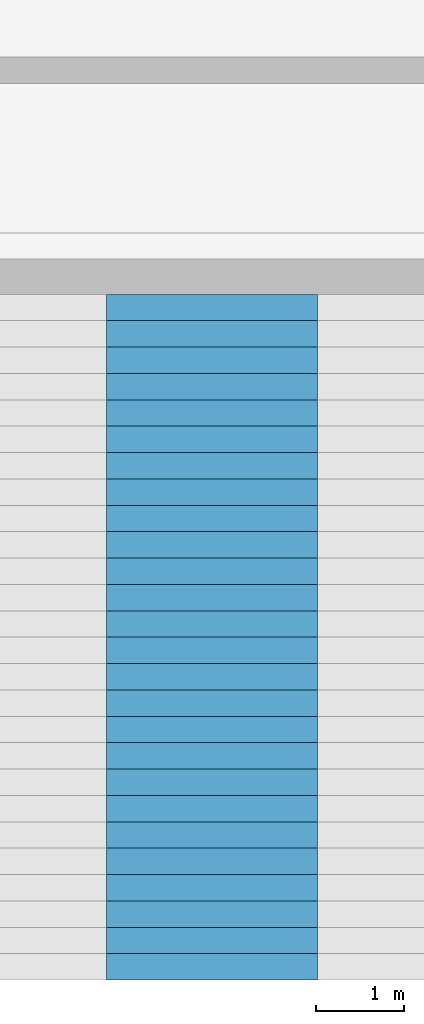
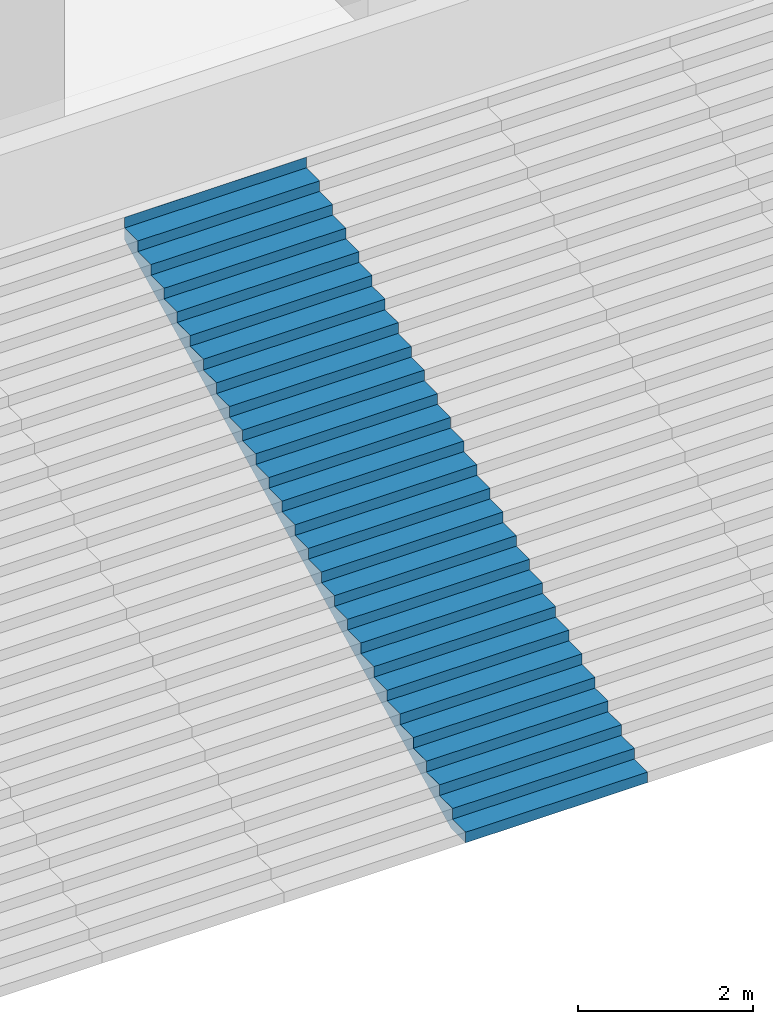
# One storey, part 28 of 45: 1 stair flight, 1 element without a shape of its own.
"""IFC4 building model written with IfcOpenShell, lengths in metres."""

from ifc_helpers import new_model, si_unit, direction, frame, origin, place, context, subcontext, project, spatial, triangles, material, type_object, element, aggregate, save


model = new_model("IFC4")

# Units and contexts
model_context = context("Model", 3, precision=1e-05, world=origin(), true_north=direction((0.0, 1.0)))
body_context = subcontext(model_context, "Body", "Model", "MODEL_VIEW")
ifc_project = project(units=[si_unit("LENGTHUNIT", "METRE"), si_unit("AREAUNIT", "SQUARE_METRE"), si_unit("VOLUMEUNIT", "CUBIC_METRE"), si_unit("PLANEANGLEUNIT", "RADIAN"), si_unit("MASSUNIT", "GRAM", prefix="KILO")], contexts=[model_context])

# Site, building, storey
site_placement = place(None, origin())
site = spatial("IfcSite", under=ifc_project, at=site_placement, CompositionType="ELEMENT")
building_placement = place(site_placement, origin())
building = spatial("IfcBuilding", under=site, at=building_placement, Name="Beryl Residences", CompositionType="ELEMENT")
storey_placement = place(building_placement, frame((0.0, 0.0, 5.0)))
storey = spatial("IfcBuildingStorey", under=building, at=storey_placement, Name="L01", CompositionType="ELEMENT", Elevation=5.0)

# Stair, stair flight
ifc_material_1 = material(Name="Precast concrete C40/50", Category="concrete")
stair_type = type_object("IfcStairType", Name="GS2 garden stair", PredefinedType="STRAIGHT_RUN_STAIR", material=ifc_material_1)
stair_placement = place(storey_placement, origin())
stair = element("IfcStair", 1, at=stair_placement, inside=storey, type_object=stair_type, Name="GS2 garden stair", PredefinedType="STRAIGHT_RUN_STAIR")
ifc_material_2 = material(Name="Precast concrete C40/50", Category="concrete")
stair_flight_type = type_object("IfcStairFlightType", Name="GF2 garden stair flight", PredefinedType="STRAIGHT", material=ifc_material_2)
stair_flight_placement = place(storey_placement, frame((1.199951171875, -42.199951171875, 0.0), z_axis=(0.0, 0.0, 1.0), x_axis=(0.0, 1.0, 0.0)))
stair_flight = element("IfcStairFlight", 2, at=stair_flight_placement, type_object=stair_flight_type, Name="GS2 flight 6", NumberOfRisers=27, NumberOfTreads=26, PredefinedType="STRAIGHT", RiserHeight=0.148148148, TreadLength=0.3, context=body_context, shape_type="Tessellation", body=[
    triangles([(0.0, -1.199951171875, 0.0), (0.0, -0.60009765625, 0.0), (0.0, 0.0, 0.0), (0.0, 0.60009765625, 0.0), (0.0, 1.199951171875, 0.0), (0.0, -1.199951171875, 0.148193359375), (0.0, -0.60009765625, 0.148193359375), (0.0, 0.0, 0.148193359375), (0.0, 0.60009765625, 0.148193359375), (0.0, 1.199951171875, 0.148193359375), (0.300048828125, -1.199951171875, 0.148193359375), (0.300048828125, -0.60009765625, 0.148193359375), (0.300048828125, 0.0, 0.148193359375), (0.300048828125, 0.60009765625, 0.148193359375), (0.300048828125, 1.199951171875, 0.148193359375), (0.300048828125, -1.199951171875, 0.29638671875), (0.300048828125, -0.60009765625, 0.29638671875), (0.300048828125, 0.0, 0.29638671875), (0.300048828125, 0.60009765625, 0.29638671875), (0.300048828125, 1.199951171875, 0.29638671875), (0.60009765625, -1.199951171875, 0.29638671875), (0.60009765625, -0.60009765625, 0.29638671875), (0.60009765625, 0.0, 0.29638671875), (0.60009765625, 0.60009765625, 0.29638671875), (0.60009765625, 1.199951171875, 0.29638671875), (0.60009765625, -1.199951171875, 0.4443359375), (0.60009765625, -0.60009765625, 0.4443359375), (0.60009765625, 0.0, 0.4443359375), (0.60009765625, 0.60009765625, 0.4443359375), (0.60009765625, 1.199951171875, 0.4443359375), (0.89990234375, -1.199951171875, 0.4443359375), (0.89990234375, -0.60009765625, 0.4443359375), (0.89990234375, 0.0, 0.4443359375), (0.89990234375, 0.60009765625, 0.4443359375), (0.89990234375, 1.199951171875, 0.4443359375), (0.89990234375, -1.199951171875, 0.592529296875), (0.89990234375, -0.60009765625, 0.592529296875), (0.89990234375, 0.0, 0.592529296875), (0.89990234375, 0.60009765625, 0.592529296875), (0.89990234375, 1.199951171875, 0.592529296875), (1.199951171875, -1.199951171875, 0.592529296875), (1.199951171875, -0.60009765625, 0.592529296875), (1.199951171875, 0.0, 0.592529296875), (1.199951171875, 0.60009765625, 0.592529296875), (1.199951171875, 1.199951171875, 0.592529296875), (1.199951171875, -1.199951171875, 0.74072265625), (1.199951171875, -0.60009765625, 0.74072265625), (1.199951171875, 0.0, 0.74072265625), (1.199951171875, 0.60009765625, 0.74072265625), (1.199951171875, 1.199951171875, 0.74072265625), (1.5, -1.199951171875, 0.74072265625), (1.5, -0.60009765625, 0.74072265625), (1.5, 0.0, 0.74072265625), (1.5, 0.60009765625, 0.74072265625), (1.5, 1.199951171875, 0.74072265625), (1.5, -1.199951171875, 0.888916015625), (1.5, -0.60009765625, 0.888916015625), (1.5, 0.0, 0.888916015625), (1.5, 0.60009765625, 0.888916015625), (1.5, 1.199951171875, 0.888916015625), (1.800048828125, -1.199951171875, 0.888916015625), (1.800048828125, -0.60009765625, 0.888916015625), (1.800048828125, 0.0, 0.888916015625), (1.800048828125, 0.60009765625, 0.888916015625), (1.800048828125, 1.199951171875, 0.888916015625), (1.800048828125, -1.199951171875, 1.037109375), (1.800048828125, -0.60009765625, 1.037109375), (1.800048828125, 0.0, 1.037109375), (1.800048828125, 0.60009765625, 1.037109375), (1.800048828125, 1.199951171875, 1.037109375), (2.10009765625, -1.199951171875, 1.037109375), (2.10009765625, -0.60009765625, 1.037109375), (2.10009765625, 0.0, 1.037109375), (2.10009765625, 0.60009765625, 1.037109375), (2.10009765625, 1.199951171875, 1.037109375), (2.10009765625, -1.199951171875, 1.185302734375), (2.10009765625, -0.60009765625, 1.185302734375), (2.10009765625, 0.0, 1.185302734375), (2.10009765625, 0.60009765625, 1.185302734375), (2.10009765625, 1.199951171875, 1.185302734375), (2.39990234375, -1.199951171875, 1.185302734375), (2.39990234375, -0.60009765625, 1.185302734375), (2.39990234375, 0.0, 1.185302734375), (2.39990234375, 0.60009765625, 1.185302734375), (2.39990234375, 1.199951171875, 1.185302734375), (2.39990234375, -1.199951171875, 1.333251953125), (2.39990234375, -0.60009765625, 1.333251953125), (2.39990234375, 0.0, 1.333251953125), (2.39990234375, 0.60009765625, 1.333251953125), (2.39990234375, 1.199951171875, 1.333251953125), (2.699951171875, -1.199951171875, 1.333251953125), (2.699951171875, -0.60009765625, 1.333251953125), (2.699951171875, 0.0, 1.333251953125), (2.699951171875, 0.60009765625, 1.333251953125), (2.699951171875, 1.199951171875, 1.333251953125), (2.699951171875, -1.199951171875, 1.4814453125), (2.699951171875, -0.60009765625, 1.4814453125), (2.699951171875, 0.0, 1.4814453125), (2.699951171875, 0.60009765625, 1.4814453125), (2.699951171875, 1.199951171875, 1.4814453125), (3.0, -1.199951171875, 1.4814453125), (3.0, -0.60009765625, 1.4814453125), (3.0, 0.0, 1.4814453125), (3.0, 0.60009765625, 1.4814453125), (3.0, 1.199951171875, 1.4814453125), (3.0, -1.199951171875, 1.629638671875), (3.0, -0.60009765625, 1.629638671875), (3.0, 0.0, 1.629638671875), (3.0, 0.60009765625, 1.629638671875), (3.0, 1.199951171875, 1.629638671875), (3.300048828125, -1.199951171875, 1.629638671875), (3.300048828125, -0.60009765625, 1.629638671875), (3.300048828125, 0.0, 1.629638671875), (3.300048828125, 0.60009765625, 1.629638671875), (3.300048828125, 1.199951171875, 1.629638671875), (3.300048828125, -1.199951171875, 1.77783203125), (3.300048828125, -0.60009765625, 1.77783203125), (3.300048828125, 0.0, 1.77783203125), (3.300048828125, 0.60009765625, 1.77783203125), (3.300048828125, 1.199951171875, 1.77783203125), (3.60009765625, -1.199951171875, 1.77783203125), (3.60009765625, -0.60009765625, 1.77783203125), (3.60009765625, 0.0, 1.77783203125), (3.60009765625, 0.60009765625, 1.77783203125), (3.60009765625, 1.199951171875, 1.77783203125), (3.60009765625, -1.199951171875, 1.926025390625), (3.60009765625, -0.60009765625, 1.926025390625), (3.60009765625, 0.0, 1.926025390625), (3.60009765625, 0.60009765625, 1.926025390625), (3.60009765625, 1.199951171875, 1.926025390625), (3.89990234375, -1.199951171875, 1.926025390625), (3.89990234375, -0.60009765625, 1.926025390625), (3.89990234375, 0.0, 1.926025390625), (3.89990234375, 0.60009765625, 1.926025390625), (3.89990234375, 1.199951171875, 1.926025390625), (3.89990234375, -1.199951171875, 2.073974609375), (3.89990234375, -0.60009765625, 2.073974609375), (3.89990234375, 0.0, 2.073974609375), (3.89990234375, 0.60009765625, 2.073974609375), (3.89990234375, 1.199951171875, 2.073974609375), (4.199951171875, -1.199951171875, 2.073974609375), (4.199951171875, -0.60009765625, 2.073974609375), (4.199951171875, 0.0, 2.073974609375), (4.199951171875, 0.60009765625, 2.073974609375), (4.199951171875, 1.199951171875, 2.073974609375), (4.199951171875, -1.199951171875, 2.22216796875), (4.199951171875, -0.60009765625, 2.22216796875), (4.199951171875, 0.0, 2.22216796875), (4.199951171875, 0.60009765625, 2.22216796875), (4.199951171875, 1.199951171875, 2.22216796875), (4.5, -1.199951171875, 2.22216796875), (4.5, -0.60009765625, 2.22216796875), (4.5, 0.0, 2.22216796875), (4.5, 0.60009765625, 2.22216796875), (4.5, 1.199951171875, 2.22216796875), (4.5, -1.199951171875, 2.370361328125), (4.5, -0.60009765625, 2.370361328125), (4.5, 0.0, 2.370361328125), (4.5, 0.60009765625, 2.370361328125), (4.5, 1.199951171875, 2.370361328125), (4.800048828125, -1.199951171875, 2.370361328125), (4.800048828125, -0.60009765625, 2.370361328125), (4.800048828125, 0.0, 2.370361328125), (4.800048828125, 0.60009765625, 2.370361328125), (4.800048828125, 1.199951171875, 2.370361328125), (4.800048828125, -1.199951171875, 2.5185546875), (4.800048828125, -0.60009765625, 2.5185546875), (4.800048828125, 0.0, 2.5185546875), (4.800048828125, 0.60009765625, 2.5185546875), (4.800048828125, 1.199951171875, 2.5185546875), (5.10009765625, -1.199951171875, 2.5185546875), (5.10009765625, -0.60009765625, 2.5185546875), (5.10009765625, 0.0, 2.5185546875), (5.10009765625, 0.60009765625, 2.5185546875), (5.10009765625, 1.199951171875, 2.5185546875), (5.10009765625, -1.199951171875, 2.666748046875), (5.10009765625, -0.60009765625, 2.666748046875), (5.10009765625, 0.0, 2.666748046875), (5.10009765625, 0.60009765625, 2.666748046875), (5.10009765625, 1.199951171875, 2.666748046875), (5.39990234375, -1.199951171875, 2.666748046875), (5.39990234375, -0.60009765625, 2.666748046875), (5.39990234375, 0.0, 2.666748046875), (5.39990234375, 0.60009765625, 2.666748046875), (5.39990234375, 1.199951171875, 2.666748046875), (5.39990234375, -1.199951171875, 2.814697265625), (5.39990234375, -0.60009765625, 2.814697265625), (5.39990234375, 0.0, 2.814697265625), (5.39990234375, 0.60009765625, 2.814697265625), (5.39990234375, 1.199951171875, 2.814697265625), (5.699951171875, -1.199951171875, 2.814697265625), (5.699951171875, -0.60009765625, 2.814697265625), (5.699951171875, 0.0, 2.814697265625), (5.699951171875, 0.60009765625, 2.814697265625), (5.699951171875, 1.199951171875, 2.814697265625), (5.699951171875, -1.199951171875, 2.962890625), (5.699951171875, -0.60009765625, 2.962890625), (5.699951171875, 0.0, 2.962890625), (5.699951171875, 0.60009765625, 2.962890625), (5.699951171875, 1.199951171875, 2.962890625), (6.0, -1.199951171875, 2.962890625), (6.0, -0.60009765625, 2.962890625), (6.0, 0.0, 2.962890625), (6.0, 0.60009765625, 2.962890625), (6.0, 1.199951171875, 2.962890625), (6.0, -1.199951171875, 3.111083984375), (6.0, -0.60009765625, 3.111083984375), (6.0, 0.0, 3.111083984375), (6.0, 0.60009765625, 3.111083984375), (6.0, 1.199951171875, 3.111083984375), (6.300048828125, -1.199951171875, 3.111083984375), (6.300048828125, -0.60009765625, 3.111083984375), (6.300048828125, 0.0, 3.111083984375), (6.300048828125, 0.60009765625, 3.111083984375), (6.300048828125, 1.199951171875, 3.111083984375), (6.300048828125, -1.199951171875, 3.25927734375), (6.300048828125, -0.60009765625, 3.25927734375), (6.300048828125, 0.0, 3.25927734375), (6.300048828125, 0.60009765625, 3.25927734375), (6.300048828125, 1.199951171875, 3.25927734375), (6.60009765625, -1.199951171875, 3.25927734375), (6.60009765625, -0.60009765625, 3.25927734375), (6.60009765625, 0.0, 3.25927734375), (6.60009765625, 0.60009765625, 3.25927734375), (6.60009765625, 1.199951171875, 3.25927734375), (6.60009765625, -1.199951171875, 3.407470703125), (6.60009765625, -0.60009765625, 3.407470703125), (6.60009765625, 0.0, 3.407470703125), (6.60009765625, 0.60009765625, 3.407470703125), (6.60009765625, 1.199951171875, 3.407470703125), (6.89990234375, -1.199951171875, 3.407470703125), (6.89990234375, -0.60009765625, 3.407470703125), (6.89990234375, 0.0, 3.407470703125), (6.89990234375, 0.60009765625, 3.407470703125), (6.89990234375, 1.199951171875, 3.407470703125), (6.89990234375, -1.199951171875, 3.5556640625), (6.89990234375, -0.60009765625, 3.5556640625), (6.89990234375, 0.0, 3.5556640625), (6.89990234375, 0.60009765625, 3.5556640625), (6.89990234375, 1.199951171875, 3.5556640625), (7.199951171875, -1.199951171875, 3.5556640625), (7.199951171875, -0.60009765625, 3.5556640625), (7.199951171875, 0.0, 3.5556640625), (7.199951171875, 0.60009765625, 3.5556640625), (7.199951171875, 1.199951171875, 3.5556640625), (7.199951171875, -1.199951171875, 3.70361328125), (7.199951171875, -0.60009765625, 3.70361328125), (7.199951171875, 0.0, 3.70361328125), (7.199951171875, 0.60009765625, 3.70361328125), (7.199951171875, 1.199951171875, 3.70361328125), (7.5, -1.199951171875, 3.70361328125), (7.5, -0.60009765625, 3.70361328125), (7.5, 0.0, 3.70361328125), (7.5, 0.60009765625, 3.70361328125), (7.5, 1.199951171875, 3.70361328125), (7.5, -1.199951171875, 3.851806640625), (7.5, -0.60009765625, 3.851806640625), (7.5, 0.0, 3.851806640625), (7.5, 0.60009765625, 3.851806640625), (7.5, 1.199951171875, 3.851806640625), (7.800048828125, -1.199951171875, 3.851806640625), (7.800048828125, -0.60009765625, 3.851806640625), (7.800048828125, 0.0, 3.851806640625), (7.800048828125, 0.60009765625, 3.851806640625), (7.800048828125, 1.199951171875, 3.851806640625), (7.800048828125, -1.199951171875, 4.0), (7.800048828125, -0.60009765625, 4.0), (7.800048828125, 0.0, 4.0), (7.800048828125, 0.60009765625, 4.0), (7.800048828125, 1.199951171875, 4.0), (7.801025390625, -1.199951171875, 4.0), (7.801025390625, -0.60009765625, 4.0), (7.801025390625, 0.0, 4.0), (7.801025390625, 0.60009765625, 4.0), (7.801025390625, 1.199951171875, 4.0), (7.801025390625, -1.199951171875, 3.6845703125), (7.801025390625, -0.60009765625, 3.6845703125), (7.801025390625, 0.0, 3.6845703125), (7.801025390625, 0.60009765625, 3.6845703125), (7.801025390625, 1.199951171875, 3.6845703125), (0.339599609375, -1.199951171875, 0.0), (0.339599609375, -0.60009765625, 0.0), (0.339599609375, 0.0, 0.0), (0.339599609375, 0.60009765625, 0.0), (0.339599609375, 1.199951171875, 0.0)], [[1, 6, 7], [1, 7, 2], [2, 7, 8], [2, 8, 3], [3, 8, 9], [3, 9, 4], [4, 9, 10], [4, 10, 5], [6, 11, 12], [6, 12, 7], [7, 12, 13], [7, 13, 8], [8, 13, 14], [8, 14, 9], [9, 14, 15], [9, 15, 10], [11, 16, 17], [11, 17, 12], [12, 17, 18], [12, 18, 13], [13, 18, 19], [13, 19, 14], [14, 19, 20], [14, 20, 15], [16, 21, 22], [16, 22, 17], [17, 22, 23], [17, 23, 18], [18, 23, 24], [18, 24, 19], [19, 24, 25], [19, 25, 20], [21, 26, 27], [21, 27, 22], [22, 27, 28], [22, 28, 23], [23, 28, 29], [23, 29, 24], [24, 29, 30], [24, 30, 25], [26, 31, 32], [26, 32, 27], [27, 32, 33], [27, 33, 28], [28, 33, 34], [28, 34, 29], [29, 34, 35], [29, 35, 30], [31, 36, 37], [31, 37, 32], [32, 37, 38], [32, 38, 33], [33, 38, 39], [33, 39, 34], [34, 39, 40], [34, 40, 35], [36, 41, 42], [36, 42, 37], [37, 42, 43], [37, 43, 38], [38, 43, 44], [38, 44, 39], [39, 44, 45], [39, 45, 40], [41, 46, 47], [41, 47, 42], [42, 47, 48], [42, 48, 43], [43, 48, 49], [43, 49, 44], [44, 49, 50], [44, 50, 45], [46, 51, 52], [46, 52, 47], [47, 52, 53], [47, 53, 48], [48, 53, 54], [48, 54, 49], [49, 54, 55], [49, 55, 50], [51, 56, 57], [51, 57, 52], [52, 57, 58], [52, 58, 53], [53, 58, 59], [53, 59, 54], [54, 59, 60], [54, 60, 55], [56, 61, 62], [56, 62, 57], [57, 62, 63], [57, 63, 58], [58, 63, 64], [58, 64, 59], [59, 64, 65], [59, 65, 60], [61, 66, 67], [61, 67, 62], [62, 67, 68], [62, 68, 63], [63, 68, 69], [63, 69, 64], [64, 69, 70], [64, 70, 65], [66, 71, 72], [66, 72, 67], [67, 72, 73], [67, 73, 68], [68, 73, 74], [68, 74, 69], [69, 74, 75], [69, 75, 70], [71, 76, 77], [71, 77, 72], [72, 77, 78], [72, 78, 73], [73, 78, 79], [73, 79, 74], [74, 79, 80], [74, 80, 75], [76, 81, 82], [76, 82, 77], [77, 82, 83], [77, 83, 78], [78, 83, 84], [78, 84, 79], [79, 84, 85], [79, 85, 80], [81, 86, 87], [81, 87, 82], [82, 87, 88], [82, 88, 83], [83, 88, 89], [83, 89, 84], [84, 89, 90], [84, 90, 85], [86, 91, 92], [86, 92, 87], [87, 92, 93], [87, 93, 88], [88, 93, 94], [88, 94, 89], [89, 94, 95], [89, 95, 90], [91, 96, 97], [91, 97, 92], [92, 97, 98], [92, 98, 93], [93, 98, 99], [93, 99, 94], [94, 99, 100], [94, 100, 95], [96, 101, 102], [96, 102, 97], [97, 102, 103], [97, 103, 98], [98, 103, 104], [98, 104, 99], [99, 104, 105], [99, 105, 100], [101, 106, 107], [101, 107, 102], [102, 107, 108], [102, 108, 103], [103, 108, 109], [103, 109, 104], [104, 109, 110], [104, 110, 105], [106, 111, 112], [106, 112, 107], [107, 112, 113], [107, 113, 108], [108, 113, 114], [108, 114, 109], [109, 114, 115], [109, 115, 110], [111, 116, 117], [111, 117, 112], [112, 117, 118], [112, 118, 113], [113, 118, 119], [113, 119, 114], [114, 119, 120], [114, 120, 115], [116, 121, 122], [116, 122, 117], [117, 122, 123], [117, 123, 118], [118, 123, 124], [118, 124, 119], [119, 124, 125], [119, 125, 120], [121, 126, 127], [121, 127, 122], [122, 127, 128], [122, 128, 123], [123, 128, 129], [123, 129, 124], [124, 129, 130], [124, 130, 125], [126, 131, 132], [126, 132, 127], [127, 132, 133], [127, 133, 128], [128, 133, 134], [128, 134, 129], [129, 134, 135], [129, 135, 130], [131, 136, 137], [131, 137, 132], [132, 137, 138], [132, 138, 133], [133, 138, 139], [133, 139, 134], [134, 139, 140], [134, 140, 135], [136, 141, 142], [136, 142, 137], [137, 142, 143], [137, 143, 138], [138, 143, 144], [138, 144, 139], [139, 144, 145], [139, 145, 140], [141, 146, 147], [141, 147, 142], [142, 147, 148], [142, 148, 143], [143, 148, 149], [143, 149, 144], [144, 149, 150], [144, 150, 145], [146, 151, 152], [146, 152, 147], [147, 152, 153], [147, 153, 148], [148, 153, 154], [148, 154, 149], [149, 154, 155], [149, 155, 150], [151, 156, 157], [151, 157, 152], [152, 157, 158], [152, 158, 153], [153, 158, 159], [153, 159, 154], [154, 159, 160], [154, 160, 155], [156, 161, 162], [156, 162, 157], [157, 162, 163], [157, 163, 158], [158, 163, 164], [158, 164, 159], [159, 164, 165], [159, 165, 160], [161, 166, 167], [161, 167, 162], [162, 167, 168], [162, 168, 163], [163, 168, 169], [163, 169, 164], [164, 169, 170], [164, 170, 165], [166, 171, 172], [166, 172, 167], [167, 172, 173], [167, 173, 168], [168, 173, 174], [168, 174, 169], [169, 174, 175], [169, 175, 170], [171, 176, 177], [171, 177, 172], [172, 177, 178], [172, 178, 173], [173, 178, 179], [173, 179, 174], [174, 179, 180], [174, 180, 175], [176, 181, 182], [176, 182, 177], [177, 182, 183], [177, 183, 178], [178, 183, 184], [178, 184, 179], [179, 184, 185], [179, 185, 180], [181, 186, 187], [181, 187, 182], [182, 187, 188], [182, 188, 183], [183, 188, 189], [183, 189, 184], [184, 189, 190], [184, 190, 185], [186, 191, 192], [186, 192, 187], [187, 192, 193], [187, 193, 188], [188, 193, 194], [188, 194, 189], [189, 194, 195], [189, 195, 190], [191, 196, 197], [191, 197, 192], [192, 197, 198], [192, 198, 193], [193, 198, 199], [193, 199, 194], [194, 199, 200], [194, 200, 195], [196, 201, 202], [196, 202, 197], [197, 202, 203], [197, 203, 198], [198, 203, 204], [198, 204, 199], [199, 204, 205], [199, 205, 200], [201, 206, 207], [201, 207, 202], [202, 207, 208], [202, 208, 203], [203, 208, 209], [203, 209, 204], [204, 209, 210], [204, 210, 205], [206, 211, 212], [206, 212, 207], [207, 212, 213], [207, 213, 208], [208, 213, 214], [208, 214, 209], [209, 214, 215], [209, 215, 210], [211, 216, 217], [211, 217, 212], [212, 217, 218], [212, 218, 213], [213, 218, 219], [213, 219, 214], [214, 219, 220], [214, 220, 215], [216, 221, 222], [216, 222, 217], [217, 222, 223], [217, 223, 218], [218, 223, 224], [218, 224, 219], [219, 224, 225], [219, 225, 220], [221, 226, 227], [221, 227, 222], [222, 227, 228], [222, 228, 223], [223, 228, 229], [223, 229, 224], [224, 229, 230], [224, 230, 225], [226, 231, 232], [226, 232, 227], [227, 232, 233], [227, 233, 228], [228, 233, 234], [228, 234, 229], [229, 234, 235], [229, 235, 230], [231, 236, 237], [231, 237, 232], [232, 237, 238], [232, 238, 233], [233, 238, 239], [233, 239, 234], [234, 239, 240], [234, 240, 235], [236, 241, 242], [236, 242, 237], [237, 242, 243], [237, 243, 238], [238, 243, 244], [238, 244, 239], [239, 244, 245], [239, 245, 240], [241, 246, 247], [241, 247, 242], [242, 247, 248], [242, 248, 243], [243, 248, 249], [243, 249, 244], [244, 249, 250], [244, 250, 245], [246, 251, 252], [246, 252, 247], [247, 252, 253], [247, 253, 248], [248, 253, 254], [248, 254, 249], [249, 254, 255], [249, 255, 250], [251, 256, 257], [251, 257, 252], [252, 257, 258], [252, 258, 253], [253, 258, 259], [253, 259, 254], [254, 259, 260], [254, 260, 255], [256, 261, 262], [256, 262, 257], [257, 262, 263], [257, 263, 258], [258, 263, 264], [258, 264, 259], [259, 264, 265], [259, 265, 260], [261, 266, 267], [261, 267, 262], [262, 267, 268], [262, 268, 263], [263, 268, 269], [263, 269, 264], [264, 269, 270], [264, 270, 265], [266, 271, 272], [266, 272, 267], [267, 272, 273], [267, 273, 268], [268, 273, 274], [268, 274, 269], [269, 274, 275], [269, 275, 270], [271, 276, 277], [271, 277, 272], [272, 277, 278], [272, 278, 273], [273, 278, 279], [273, 279, 274], [274, 279, 280], [274, 280, 275], [276, 281, 282], [276, 282, 277], [277, 282, 283], [277, 283, 278], [278, 283, 284], [278, 284, 279], [279, 284, 285], [279, 285, 280], [281, 1, 2], [281, 2, 282], [282, 2, 3], [282, 3, 283], [283, 3, 4], [283, 4, 284], [284, 4, 5], [284, 5, 285], [1, 281, 276], [5, 280, 285], [276, 271, 266], [280, 270, 275], [276, 266, 261], [280, 265, 270], [276, 261, 256], [280, 260, 265], [276, 256, 251], [280, 255, 260], [276, 251, 246], [280, 250, 255], [276, 246, 241], [280, 245, 250], [241, 236, 231], [245, 235, 240], [276, 241, 231], [280, 235, 245], [231, 226, 221], [235, 225, 230], [276, 231, 221], [280, 225, 235], [221, 216, 211], [225, 215, 220], [276, 221, 211], [280, 215, 225], [211, 206, 201], [215, 205, 210], [276, 211, 201], [280, 205, 215], [201, 196, 191], [205, 195, 200], [276, 201, 191], [280, 195, 205], [191, 186, 181], [195, 185, 190], [276, 191, 181], [280, 185, 195], [181, 176, 171], [185, 175, 180], [276, 181, 171], [280, 175, 185], [171, 166, 161], [175, 165, 170], [276, 171, 161], [280, 165, 175], [161, 156, 151], [165, 155, 160], [276, 161, 151], [280, 155, 165], [151, 146, 141], [155, 145, 150], [276, 151, 141], [280, 145, 155], [141, 136, 131], [145, 135, 140], [276, 141, 131], [280, 135, 145], [131, 126, 121], [135, 125, 130], [276, 131, 121], [280, 125, 135], [121, 116, 111], [125, 115, 120], [276, 121, 111], [280, 115, 125], [111, 106, 101], [115, 105, 110], [276, 111, 101], [280, 105, 115], [101, 96, 91], [105, 95, 100], [276, 101, 91], [280, 95, 105], [91, 86, 81], [95, 85, 90], [276, 91, 81], [280, 85, 95], [81, 76, 71], [85, 75, 80], [276, 81, 71], [280, 75, 85], [71, 66, 61], [75, 65, 70], [276, 71, 61], [280, 65, 75], [61, 56, 51], [65, 55, 60], [276, 61, 51], [280, 55, 65], [51, 46, 41], [55, 45, 50], [276, 51, 41], [280, 45, 55], [41, 36, 31], [45, 35, 40], [276, 41, 31], [280, 35, 45], [1, 276, 31], [5, 35, 280], [31, 26, 21], [35, 25, 30], [21, 16, 11], [25, 15, 20], [31, 21, 11], [35, 15, 25], [1, 31, 11], [5, 15, 35], [11, 6, 1], [15, 5, 10]], closed=True),
])
aggregate(stair, [stair_flight])

save(model, "model.ifc")
